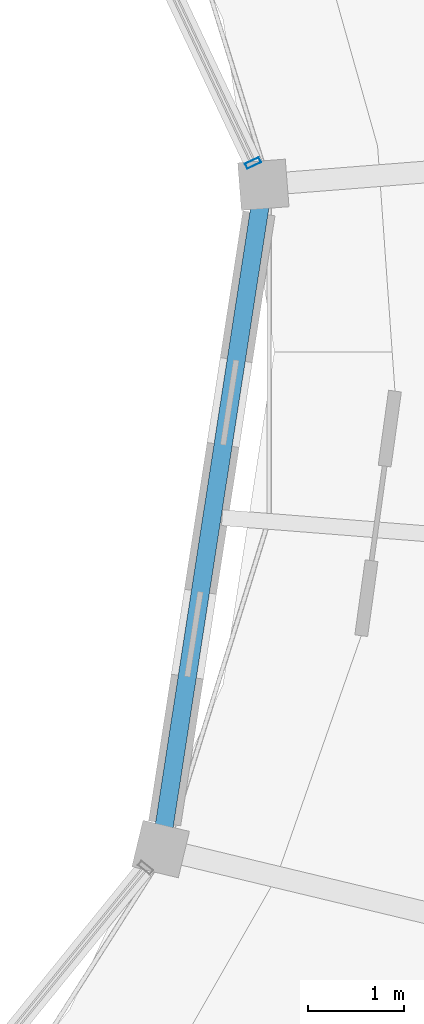
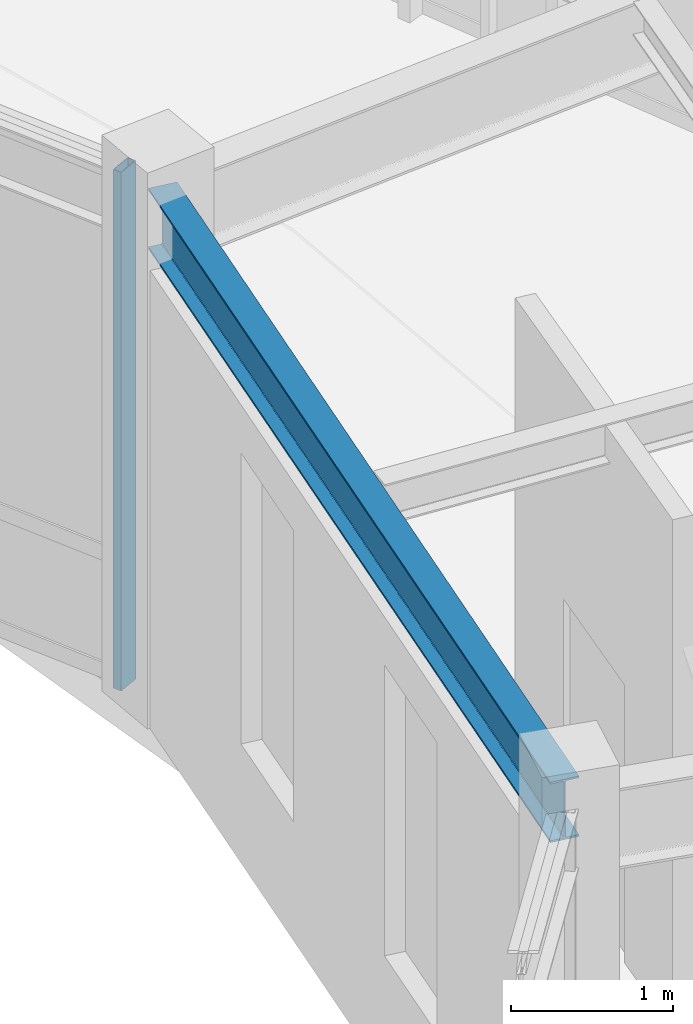
# One storey, part 50 of 78: 1 beam, 1 member, 1 element without a shape of its own.
"""IFC4 building model written with IfcOpenShell, lengths in metres."""

import ifcopenshell
import ifcopenshell.guid

model = None  # the IFC model being written
_history = None  # IfcOwnerHistory: only IFC2X3 demands one
_inside = {}  # id of a spatial element -> (the spatial element, [elements in it])
_under = {}  # id of a project, library or spatial element -> (it, [spatial elements below it])
_declared = {}  # id of a project -> (the project, [libraries it declares])
_typed = {}  # id of a type object -> (the type object, [elements of that type])
_made_of = {}  # id of a material, layer set ... -> (it, [elements and type objects made of it])


def new_model(schema):
    """Start an empty IFC model of exactly this schema.

    Asked for "IFC4X3", IfcOpenShell would pick the latest addendum, in which some entities
    have other attributes; the version numbers below select the first issue.
    IFC2X3 requires an IfcOwnerHistory on every rooted entity: one is made here for all.
    """
    global model, _history
    if schema == "IFC4X3":
        model = ifcopenshell.file(schema_version=(4, 3, 0, 0))
    else:
        model = ifcopenshell.file(schema=schema)
    _inside.clear()
    _under.clear()
    _declared.clear()
    _typed.clear()
    _made_of.clear()
    _history = None
    if model.schema == "IFC2X3":
        org = make("IfcOrganization", Name="unknown")
        user = make(
            "IfcPersonAndOrganization",
            ThePerson=make("IfcPerson", FamilyName="unknown"),
            TheOrganization=org,
        )
        app = make(
            "IfcApplication",
            ApplicationDeveloper=org,
            Version="unknown",
            ApplicationFullName="unknown",
            ApplicationIdentifier="unknown",
        )
        _history = make(
            "IfcOwnerHistory",
            OwningUser=user,
            OwningApplication=app,
            ChangeAction="ADDED",
            CreationDate=0,
        )
    return model


def make(cls, **values):
    """One entity of the class cls with the attributes given. An attribute that is None is left unset."""
    return model.create_entity(
        cls, **{name: value for name, value in values.items() if value is not None}
    )


def rooted(cls, **values):
    """An entity with a GlobalId (a new one), such as an element, a storey or a relation."""
    return make(cls, GlobalId=ifcopenshell.guid.new(), OwnerHistory=_history, **values)


def si_unit(unit_type, name, prefix=None):
    """IfcSIUnit, for example si_unit("LENGTHUNIT", "METRE", prefix="MILLI")."""
    return make("IfcSIUnit", UnitType=unit_type, Prefix=prefix, Name=name)


def assignment(units):
    """IfcUnitAssignment: the units of a project."""
    return None if units is None else make("IfcUnitAssignment", Units=units)


def point(xyz):
    """IfcCartesianPoint."""
    return None if xyz is None else make("IfcCartesianPoint", Coordinates=xyz)


def direction(xyz):
    """IfcDirection."""
    return None if xyz is None else make("IfcDirection", DirectionRatios=xyz)


def frame(location, z_axis=None, x_axis=None):
    """IfcAxis2Placement3D, a coordinate frame: its origin and axes. An axis left out is left unset."""
    return make(
        "IfcAxis2Placement3D",
        Location=point(location),
        Axis=direction(z_axis),
        RefDirection=direction(x_axis),
    )


def frame_2d(location, x_axis=None):
    """IfcAxis2Placement2D, a coordinate frame in the plane: its origin and x axis."""
    return make(
        "IfcAxis2Placement2D", Location=point(location), RefDirection=direction(x_axis)
    )


def origin():
    """The frame at (0, 0, 0) with its axes left unset."""
    return frame((0.0, 0.0, 0.0))


def origin_2d():
    """The frame at (0, 0) in the plane with its x axis left unset."""
    return frame_2d((0.0, 0.0))


def place(relative_to, where):
    """IfcLocalPlacement: puts the frame where relative to a parent placement (None: the world)."""
    return make(
        "IfcLocalPlacement", PlacementRelTo=relative_to, RelativePlacement=where
    )


def context(
    kind, dimensions, precision=None, world=None, true_north=None, identifier=None
):
    """IfcGeometricRepresentationContext, for example the 3D "Model" context."""
    return make(
        "IfcGeometricRepresentationContext",
        ContextIdentifier=identifier,
        ContextType=kind,
        CoordinateSpaceDimension=dimensions,
        Precision=precision,
        WorldCoordinateSystem=world,
        TrueNorth=true_north,
    )


def subcontext(parent, identifier, kind, view, scale=None):
    """IfcGeometricRepresentationSubContext, for example "Body" below "Model"."""
    return make(
        "IfcGeometricRepresentationSubContext",
        ContextIdentifier=identifier,
        ContextType=kind,
        ParentContext=parent,
        TargetScale=scale,
        TargetView=view,
    )


def project(units=None, contexts=None):
    """IfcProject with its units and contexts."""
    return rooted(
        "IfcProject",
        Name="project",
        RepresentationContexts=contexts,
        UnitsInContext=assignment(units),
    )


def spatial(cls, under=None, at=None, **own):
    """A site, building, storey or space (cls), placed at a placement, below another one or the project."""
    s = rooted(cls, ObjectPlacement=at, **own)
    if under is not None:
        _under.setdefault(under.id(), (under, []))[1].append(s)
    return s


def profile(cls, at=None, kind="AREA", **sizes):
    """A parametric profile (cls). Its sizes go by their IFC names, for example OverallWidth=200.0."""
    return make(cls, ProfileType=kind, Position=at, **sizes)


def hollow_rectangle(**sizes):
    """IfcRectangleHollowProfileDef."""
    return profile("IfcRectangleHollowProfileDef", **sizes)


def i_section(**sizes):
    """IfcIShapeProfileDef."""
    return profile("IfcIShapeProfileDef", **sizes)


def extrude(swept, where, along, depth):
    """IfcExtrudedAreaSolid: the profile swept, set in the frame where, extruded along a direction by depth."""
    return make(
        "IfcExtrudedAreaSolid",
        SweptArea=swept,
        Position=where,
        ExtrudedDirection=direction(along),
        Depth=depth,
    )


def shape(context_of_items, identifier, shape_type, items):
    """IfcShapeRepresentation: the items that make up one representation, for example the "Body"."""
    return make(
        "IfcShapeRepresentation",
        ContextOfItems=context_of_items,
        RepresentationIdentifier=identifier,
        RepresentationType=shape_type,
        Items=items,
    )


def material(Name=None, Category=None):
    """IfcMaterial."""
    return make("IfcMaterial", Name=Name, Category=Category)


def material_profile(
    of_material, cross_section, Name=None, Category=None, Priority=None
):
    """IfcMaterialProfile: a cross section and its material."""
    return make(
        "IfcMaterialProfile",
        Name=Name,
        Material=of_material,
        Profile=cross_section,
        Priority=Priority,
        Category=Category,
    )


def profile_set(profiles, Name=None, composite=None):
    """IfcMaterialProfileSet."""
    return make(
        "IfcMaterialProfileSet",
        Name=Name,
        MaterialProfiles=profiles,
        CompositeProfile=composite,
    )


def made_of(thing, what):
    """Note that an element or type object is made of a material, layer set ...; save() writes the relation."""
    if what is not None:
        _made_of.setdefault(what.id(), (what, []))[1].append(thing)
    return thing


def type_object(cls, material=None, **own):
    """A type object (cls), such as IfcWallType, which elements share."""
    return made_of(rooted(cls, **own), material)


def element(
    cls,
    number,
    at=None,
    inside=None,
    cuts=None,
    type_object=None,
    material=None,
    context=None,
    identifier="Body",
    shape_type=None,
    held_by="IfcProductDefinitionShape",
    body=None,
    shapes=None,
    **own,
):
    """One element of the class cls, such as IfcWall. Its Tag is "e" and its number.

    at: its placement. inside: the storey or other place that contains it. cuts: it is an
    opening in that element (IfcRelVoidsElement). A single representation is given by context,
    identifier, shape_type and body (its items); several are given by shapes. held_by: the class
    of the entity that holds the representations. save() writes the other relations.
    """
    e = rooted(cls, Tag="e%d" % number, ObjectPlacement=at, **own)
    if body is not None:
        shapes = [shape(context, identifier, shape_type, body)]
    if shapes is not None:
        e.Representation = make(held_by, Representations=shapes)
    if inside is not None:
        _inside.setdefault(inside.id(), (inside, []))[1].append(e)
    if cuts is not None:
        rooted(
            "IfcRelVoidsElement", RelatingBuildingElement=cuts, RelatedOpeningElement=e
        )
    if type_object is not None:
        _typed.setdefault(type_object.id(), (type_object, []))[1].append(e)
    return made_of(e, material)


def aggregate(whole, parts):
    """IfcRelAggregates: a whole, such as a stair, and the parts it consists of."""
    return rooted("IfcRelAggregates", RelatingObject=whole, RelatedObjects=parts)


def save(model, path):
    """Write the relations noted so far, then the file.

    IfcRelAggregates (storeys below a building ...), IfcRelContainedInSpatialStructure (elements
    in a storey), IfcRelDefinesByType, IfcRelAssociatesMaterial and IfcRelDeclares: one each for
    every whole, place, type object, material and project.
    """
    for whole, parts in _under.values():
        aggregate(whole, parts)
    for where, things in _inside.values():
        rooted(
            "IfcRelContainedInSpatialStructure",
            RelatedElements=things,
            RelatingStructure=where,
        )
    for kind, things in _typed.values():
        rooted("IfcRelDefinesByType", RelatedObjects=things, RelatingType=kind)
    for what, things in _made_of.values():
        rooted("IfcRelAssociatesMaterial", RelatedObjects=things, RelatingMaterial=what)
    for by, libraries in _declared.values():
        rooted("IfcRelDeclares", RelatingContext=by, RelatedDefinitions=libraries)
    model.write(path)


model = new_model("IFC4")

# Units and contexts
model_context = context("Model", 3, precision=1e-05, world=origin(), true_north=direction((0.0, 1.0)))
body_context = subcontext(model_context, "Body", "Model", "MODEL_VIEW")
ifc_project = project(units=[si_unit("LENGTHUNIT", "METRE"), si_unit("AREAUNIT", "SQUARE_METRE"), si_unit("VOLUMEUNIT", "CUBIC_METRE"), si_unit("PLANEANGLEUNIT", "RADIAN"), si_unit("MASSUNIT", "GRAM", prefix="KILO"), si_unit("THERMODYNAMICTEMPERATUREUNIT", "KELVIN"), si_unit("POWERUNIT", "WATT")], contexts=[model_context])

# Site, building, storey
site_placement = place(None, origin())
site = spatial("IfcSite", under=ifc_project, at=site_placement, CompositionType="ELEMENT")
building_placement = place(site_placement, origin())
building = spatial("IfcBuilding", under=site, at=building_placement, Name="Darbajah Civic Hall", CompositionType="ELEMENT")
storey_placement = place(building_placement, frame((0.0, 0.0, 26.39990234375)))
storey = spatial("IfcBuildingStorey", under=building, at=storey_placement, Name="L06", CompositionType="ELEMENT", Elevation=26.39990234375)

# Curtain wall, member
ifc_material_1 = material(Name="Anodised Bronze Aluminium and Low-E Glazing", Category="aluminium")
curtain_wall_type = type_object("IfcCurtainWallType", Name="Unitised Curtain Wall CW-78 7000x3900", PredefinedType="USERDEFINED", material=ifc_material_1)
curtain_wall_placement = place(storey_placement, origin())
curtain_wall = element("IfcCurtainWall", 1, at=curtain_wall_placement, inside=storey, type_object=curtain_wall_type, Name="L06 unitised curtain wall CW-V1I-L06-00", ObjectType="UNITISED CURTAIN WALL", PredefinedType="USERDEFINED")
ifc_material_2 = material(Name="Anodised Bronze Aluminium", Category="aluminium")
ifc_material_profile_1 = material_profile(ifc_material_2, hollow_rectangle(XDim=0.06005859375, YDim=0.159912109375, WallThickness=0.00341796875, at=origin_2d()), Name="ALU MULLION 60x160")
ifc_profile_set_1 = profile_set([ifc_material_profile_1], Name="Anodised Bronze Aluminium")
member_type = type_object("IfcMemberType", Name="ALU MULLION 60x160", PredefinedType="MULLION", material=ifc_profile_set_1)
member_placement = place(storey_placement, frame((132.657470703125, 91.777587890625, 0.0), z_axis=(0.0, 0.0, 1.0), x_axis=(-0.426568739901, 0.904455145454, 0.0)))
member = element("IfcMember", 2, at=member_placement, type_object=member_type, Name="CW-V1I-L06-00 mullion 1", PredefinedType="MULLION", context=body_context, shape_type="SweptSolid", body=[
    extrude(hollow_rectangle(XDim=0.06005859375, YDim=0.159912109375, WallThickness=0.00341796875, at=origin_2d()), origin(), (0.0, 0.0, 1.0), 3.920166015625),
])
aggregate(curtain_wall, [member])

# Beam
ifc_material_3 = material(Name="Steel S355JR", Category="steel")
ifc_material_profile_2 = material_profile(ifc_material_3, i_section(OverallWidth=0.1904296875, OverallDepth=0.45703125, WebThickness=0.009033203125, FlangeThickness=0.014404296875, FilletRadius=0.01025390625, at=origin_2d()), Name="UB 457x191x74")
ifc_profile_set_2 = profile_set([ifc_material_profile_2], Name="Steel S355JR")
beam_type = type_object("IfcBeamType", Name="UB 457x191x74", PredefinedType="BEAM", material=ifc_profile_set_2)
beam_placement = place(storey_placement, frame((131.701904296875, 84.67333984375, 3.691650390625), z_axis=(0.152777334871, 0.988260636649, 0.0), x_axis=(-0.988260636649, 0.152777334871, 0.0)))
element("IfcBeam", 3, at=beam_placement, inside=storey, type_object=beam_type, Name="L06 beam SB-457", PredefinedType="BEAM", context=body_context, shape_type="SweptSolid", body=[
    extrude(i_section(OverallWidth=0.1904296875, OverallDepth=0.45703125, WebThickness=0.009033203125, FlangeThickness=0.014404296875, FilletRadius=0.01025390625, at=origin_2d()), origin(), (0.0, 0.0, 1.0), 6.8779296875),
])

save(model, "model.ifc")
